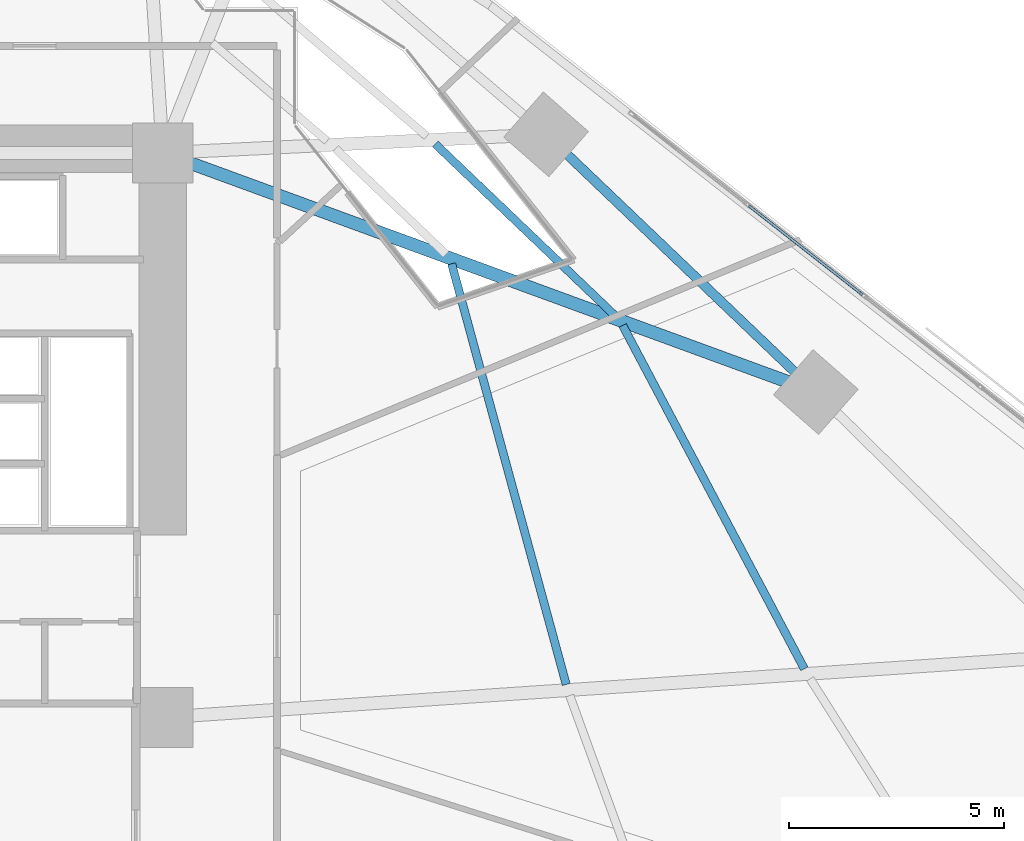
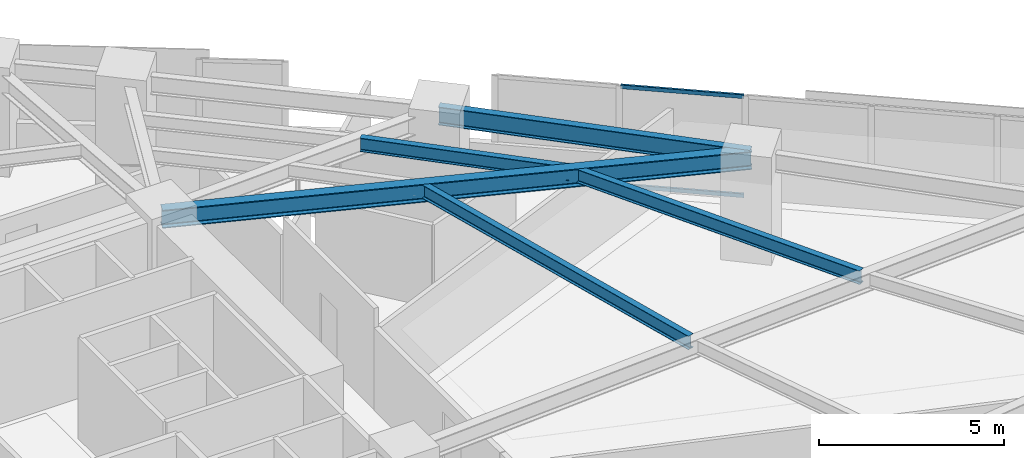
# One storey, part 6 of 16: 5 beams, 2 members, 1 element without a shape of its own.
"""IFC4 building model written with IfcOpenShell, lengths in metres."""

from ifc_helpers import new_model, si_unit, direction, frame, origin, origin_2d, place, context, subcontext, project, spatial, hollow_rectangle, i_section, extrude, material, material_profile, profile_set, type_object, element, aggregate, save


model = new_model("IFC4")

# Units and contexts
model_context = context("Model", 3, precision=1e-05, world=origin(), true_north=direction((0.0, 1.0)))
body_context = subcontext(model_context, "Body", "Model", "MODEL_VIEW")
ifc_project = project(units=[si_unit("LENGTHUNIT", "METRE"), si_unit("AREAUNIT", "SQUARE_METRE"), si_unit("VOLUMEUNIT", "CUBIC_METRE"), si_unit("PLANEANGLEUNIT", "RADIAN"), si_unit("MASSUNIT", "GRAM", prefix="KILO")], contexts=[model_context])

# Site, building, storey
site_placement = place(None, origin())
site = spatial("IfcSite", under=ifc_project, at=site_placement, CompositionType="ELEMENT")
building_placement = place(site_placement, origin())
building = spatial("IfcBuilding", under=site, at=building_placement, Name="Narakoshi Arena Tower", CompositionType="ELEMENT")
storey_placement = place(building_placement, frame((0.0, 0.0, 77.699951171875)))
storey = spatial("IfcBuildingStorey", under=building, at=storey_placement, Name="L20", CompositionType="ELEMENT", Elevation=77.699951171875)

# Beams
ifc_material_1 = material(Name="Structural steel S355J2", Category="steel")
ifc_material_profile_1 = material_profile(ifc_material_1, i_section(OverallWidth=0.219970703125, OverallDepth=0.60009765625, WebThickness=0.011962890625, FlangeThickness=0.01904296875, FilletRadius=0.02392578125, at=origin_2d()), Name="IPE600")
ifc_profile_set_1 = profile_set([ifc_material_profile_1], Name="Structural steel S355J2")
beam_type_1 = type_object("IfcBeamType", Name="BM-EDGE-600", PredefinedType="BEAM", material=ifc_profile_set_1)
beam_1_placement = place(storey_placement, frame((100.76318359375, 50.931640625, 3.0400390625), z_axis=(-0.723088904438, 0.690754975572, 0.0), x_axis=(-0.690754975572, -0.723088904438, 0.0)))
element("IfcBeam", 1, at=beam_1_placement, inside=storey, type_object=beam_type_1, Name="L20 Perimeter Edge Girder 07", PredefinedType="BEAM", context=body_context, shape_type="SweptSolid", body=[
    extrude(i_section(OverallWidth=0.219970703125, OverallDepth=0.60009765625, WebThickness=0.011962890625, FlangeThickness=0.01904296875, FilletRadius=0.02392578125, at=origin_2d()), origin(), (0.0, 0.0, 1.0), 8.690673828125),
])
ifc_material_profile_2 = material_profile(ifc_material_1, i_section(OverallWidth=0.300048828125, OverallDepth=0.60009765625, WebThickness=0.015380859375, FlangeThickness=0.030029296875, FilletRadius=0.027099609375, at=origin_2d()), Name="HE600B")
ifc_profile_set_2 = profile_set([ifc_material_profile_2], Name="Structural steel S355J2")
beam_type_2 = type_object("IfcBeamType", Name="BM-PRI-600", PredefinedType="BEAM", material=ifc_profile_set_2)
beam_2_placement = place(storey_placement, frame((85.550048828125, 56.5, 3.0400390625), z_axis=(0.939071487396, -0.343721895664, 0.0), x_axis=(0.343721895664, 0.939071487396, 0.0)))
element("IfcBeam", 2, at=beam_2_placement, inside=storey, type_object=beam_type_2, Name="L20 Radial Primary Floor Girder 07", PredefinedType="BEAM", context=body_context, shape_type="SweptSolid", body=[
    extrude(i_section(OverallWidth=0.300048828125, OverallDepth=0.60009765625, WebThickness=0.015380859375, FlangeThickness=0.030029296875, FilletRadius=0.027099609375, at=origin_2d()), origin(), (0.0, 0.0, 1.0), 16.2001953125),
])
ifc_material_profile_3 = material_profile(ifc_material_1, i_section(OverallWidth=0.18994140625, OverallDepth=0.449951171875, WebThickness=0.009521484375, FlangeThickness=0.0146484375, FilletRadius=0.02099609375, at=origin_2d()), Name="IPE450")
ifc_profile_set_3 = profile_set([ifc_material_profile_3], Name="Structural steel S355J2")
beam_type_3 = type_object("IfcBeamType", Name="BM-SEC-450", PredefinedType="JOIST", material=ifc_profile_set_3)
beam_3_placement = place(storey_placement, frame((94.947998046875, 44.118408203125, 3.114990234375), z_axis=(-0.262716753137, 0.964873000773, 0.0), x_axis=(-0.964873000773, -0.262716753137, 0.0)))
element("IfcBeam", 3, at=beam_3_placement, inside=storey, type_object=beam_type_3, Name="L20 Composite Secondary Floor Joist 03", PredefinedType="JOIST", context=body_context, shape_type="SweptSolid", body=[
    extrude(i_section(OverallWidth=0.18994140625, OverallDepth=0.449951171875, WebThickness=0.009521484375, FlangeThickness=0.0146484375, FilletRadius=0.02099609375, at=origin_2d()), origin(), (0.0, 0.0, 1.0), 10.158203125),
])
beam_4_placement = place(storey_placement, frame((100.494873046875, 44.484619140625, 3.114990234375), z_axis=(-0.467717886303, 0.883877807636, 0.0), x_axis=(-0.883877807636, -0.467717886303, 0.0)))
element("IfcBeam", 4, at=beam_4_placement, inside=storey, type_object=beam_type_3, Name="L20 Composite Secondary Floor Joist 04", PredefinedType="JOIST", context=body_context, shape_type="SweptSolid", body=[
    extrude(i_section(OverallWidth=0.18994140625, OverallDepth=0.449951171875, WebThickness=0.009521484375, FlangeThickness=0.0146484375, FilletRadius=0.02099609375, at=origin_2d()), origin(), (0.0, 0.0, 1.0), 9.049072265625),
])
beam_5_placement = place(storey_placement, frame((96.1015625, 52.6953125, 3.114990234375), z_axis=(-0.723090438124, 0.690753370093, 0.0), x_axis=(-0.690753370093, -0.723090438124, 0.0)))
element("IfcBeam", 5, at=beam_5_placement, inside=storey, type_object=beam_type_3, Name="L20 Composite Secondary Floor Joist 06", PredefinedType="JOIST", context=body_context, shape_type="SweptSolid", body=[
    extrude(i_section(OverallWidth=0.18994140625, OverallDepth=0.449951171875, WebThickness=0.009521484375, FlangeThickness=0.0146484375, FilletRadius=0.02099609375, at=origin_2d()), origin(), (0.0, 0.0, 1.0), 5.8134765625),
])

# Curtain wall, members
ifc_material_2 = material(Name="Anodised bronze aluminium 6063-T6", Category="aluminium")
curtain_wall_type = type_object("IfcCurtainWallType", Name="CW-HYP-LOW", PredefinedType="NOTDEFINED", material=ifc_material_2)
curtain_wall_placement = place(storey_placement, origin())
curtain_wall = element("IfcCurtainWall", 6, at=curtain_wall_placement, inside=storey, type_object=curtain_wall_type, Name="L20 Folded Hypotenuse Curtain Wall 1-1", PredefinedType="NOTDEFINED")
ifc_material_profile_4 = material_profile(ifc_material_2, hollow_rectangle(XDim=0.06494140625, YDim=0.1298828125, WallThickness=0.00390625, OuterFilletRadius=0.0048828125, at=origin_2d()), Name="TRN130x65x4")
ifc_profile_set_4 = profile_set([ifc_material_profile_4], Name="Anodised bronze aluminium 6063-T6")
member_type = type_object("IfcMemberType", Name="MEM-TRN-130", PredefinedType="USERDEFINED", material=ifc_profile_set_4)
member_1_placement = place(storey_placement, frame((101.851806640625, 53.196533203125, 0.032470703125), z_axis=(-0.787400998112, 0.616441131149, 0.0), x_axis=(-0.616441131149, -0.787400998112, 0.0)))
member_1 = element("IfcMember", 7, at=member_1_placement, type_object=member_type, Name="CW-01 transom 8.1", ObjectType="TRANSOM", PredefinedType="USERDEFINED", context=body_context, shape_type="SweptSolid", body=[
    extrude(hollow_rectangle(XDim=0.06494140625, YDim=0.1298828125, WallThickness=0.00390625, OuterFilletRadius=0.0048828125, at=origin_2d()), origin(), (0.0, 0.0, 1.0), 3.368896484375),
])
member_2_placement = place(storey_placement, frame((101.851806640625, 53.196533203125, 3.3076171875), z_axis=(-0.787400998112, 0.616441131149, 0.0), x_axis=(-0.616441131149, -0.787400998112, 0.0)))
member_2 = element("IfcMember", 8, at=member_2_placement, type_object=member_type, Name="CW-01 transom 8.2", ObjectType="TRANSOM", PredefinedType="USERDEFINED", context=body_context, shape_type="SweptSolid", body=[
    extrude(hollow_rectangle(XDim=0.06494140625, YDim=0.1298828125, WallThickness=0.00390625, OuterFilletRadius=0.0048828125, at=origin_2d()), origin(), (0.0, 0.0, 1.0), 3.368896484375),
])
aggregate(curtain_wall, [member_1, member_2])

save(model, "model.ifc")
